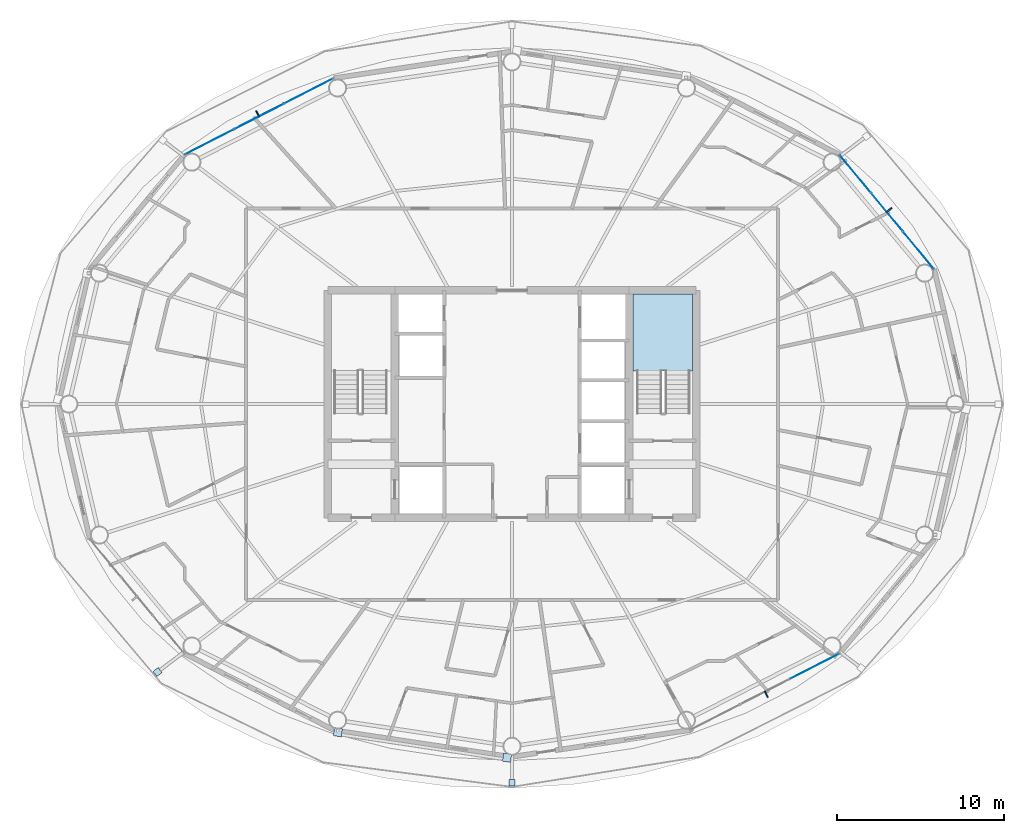
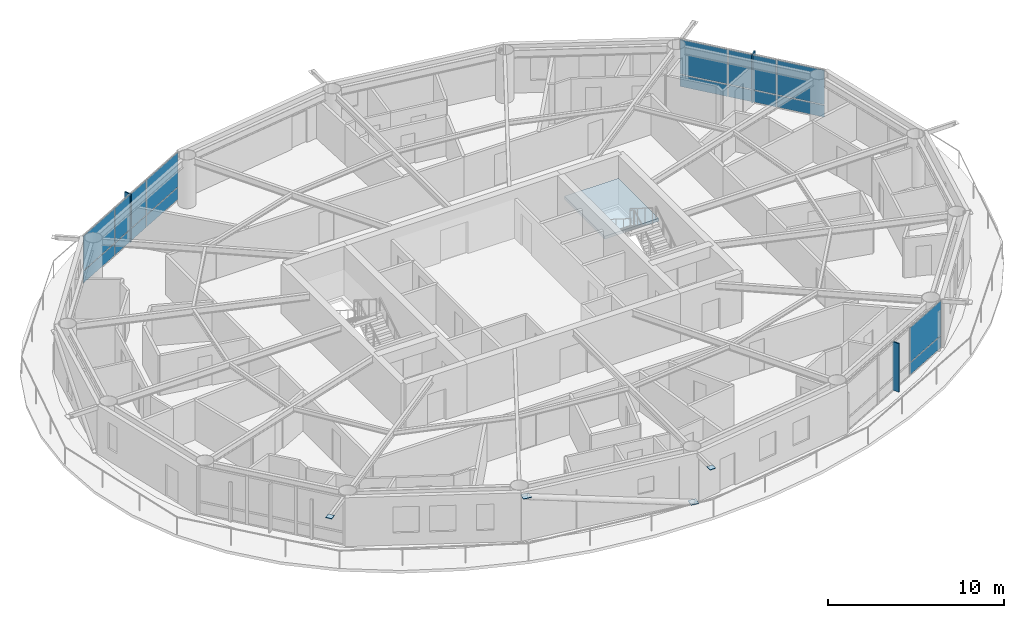
# One storey, part 18 of 29: 21 plates, 1 slab, 4 elements without a shape of their own.
"""IFC4 building model written with IfcOpenShell, lengths in metres."""

from ifc_helpers import new_model, si_unit, direction, frame, origin, origin_2d, place, context, subcontext, project, spatial, polyline, rectangle, outline, extrude, material, layer, layer_set, type_object, element, aggregate, save


model = new_model("IFC4")

# Units and contexts
model_context = context("Model", 3, precision=1e-05, world=origin(), true_north=direction((0.0, 1.0)))
body_context = subcontext(model_context, "Body", "Model", "MODEL_VIEW")
ifc_project = project(units=[si_unit("LENGTHUNIT", "METRE"), si_unit("AREAUNIT", "SQUARE_METRE"), si_unit("VOLUMEUNIT", "CUBIC_METRE"), si_unit("PLANEANGLEUNIT", "RADIAN"), si_unit("MASSUNIT", "GRAM", prefix="KILO")], contexts=[model_context])

# Site, building, storey
site_placement = place(None, origin())
site = spatial("IfcSite", under=ifc_project, at=site_placement, CompositionType="ELEMENT")
building_placement = place(site_placement, origin())
building = spatial("IfcBuilding", under=site, at=building_placement, Name="Sarneth Arch Tower", CompositionType="ELEMENT")
storey_placement = place(building_placement, frame((0.0, 0.0, 165.0)))
storey = spatial("IfcBuildingStorey", under=building, at=storey_placement, Name="L41", CompositionType="ELEMENT", Elevation=165.0)

# Curtain wall, plates
ifc_material_1 = material(Name="Anodised aluminium Type AA25 and solar-control low-e laminated IGU", Category="aluminium")
ifc_layer_1 = layer(ifc_material_1, 0.169921875)
ifc_layer_set_1 = layer_set([ifc_layer_1], Name="Anodised aluminium Type AA25 and solar-control low-e laminated IGU")
curtain_wall_type = type_object("IfcCurtainWallType", Name="CW-RES-MID", PredefinedType="NOTDEFINED", material=ifc_layer_set_1)
curtain_wall_1_placement = place(storey_placement, origin())
curtain_wall_1 = element("IfcCurtainWall", 1, at=curtain_wall_1_placement, inside=storey, type_object=curtain_wall_type, Name="L41 Unitised curtain wall facet 02", PredefinedType="NOTDEFINED")
ifc_material_2 = material(Name="Solar-control low-e laminated IGU", Category="glass")
ifc_layer_2 = layer(ifc_material_2, 0.028076171875)
ifc_layer_set_2 = layer_set([ifc_layer_2], Name="Solar-control low-e laminated IGU")
plate_type_1 = type_object("IfcPlateType", Name="CW-PANEL", PredefinedType="CURTAIN_PANEL", material=ifc_layer_set_2)
plate_1_placement = place(storey_placement, frame((72.280029296875, 51.21826171875, 0.06005859375), z_axis=(0.0, 0.0, 1.0), x_axis=(-0.637330298558, 0.770590741276, 0.0)))
plate_1 = element("IfcPlate", 2, at=plate_1_placement, type_object=plate_type_1, Name="Curtain wall glazed vision pane CW-L41-F02/P00-00", PredefinedType="CURTAIN_PANEL", context=body_context, shape_type="SweptSolid", body=[
    extrude(rectangle(XDim=2.8681640625, YDim=0.028076171875, at=origin_2d()), origin(), (0.0, 0.0, 1.0), 0.81005859375),
])
plate_2_placement = place(storey_placement, frame((72.280029296875, 51.21826171875, 0.93017578125), z_axis=(0.0, 0.0, 1.0), x_axis=(-0.637330298558, 0.770590741276, 0.0)))
plate_2 = element("IfcPlate", 3, at=plate_2_placement, type_object=plate_type_1, Name="Curtain wall glazed vision pane CW-L41-F02/P00-01", PredefinedType="CURTAIN_PANEL", context=body_context, shape_type="SweptSolid", body=[
    extrude(rectangle(XDim=2.8681640625, YDim=0.028076171875, at=origin_2d()), origin(), (0.0, 0.0, 1.0), 2.389892578125),
])
plate_3_placement = place(storey_placement, frame((70.404296875, 53.486328125, 0.06005859375), z_axis=(0.0, 0.0, 1.0), x_axis=(-0.637330298558, 0.770590741276, 0.0)))
plate_3 = element("IfcPlate", 4, at=plate_3_placement, type_object=plate_type_1, Name="Curtain wall glazed vision pane CW-L41-F02/P01-00", PredefinedType="CURTAIN_PANEL", context=body_context, shape_type="SweptSolid", body=[
    extrude(rectangle(XDim=2.898193359375, YDim=0.028076171875, at=origin_2d()), origin(), (0.0, 0.0, 1.0), 0.81005859375),
])
plate_4_placement = place(storey_placement, frame((70.404296875, 53.486328125, 0.93017578125), z_axis=(0.0, 0.0, 1.0), x_axis=(-0.637330298558, 0.770590741276, 0.0)))
plate_4 = element("IfcPlate", 5, at=plate_4_placement, type_object=plate_type_1, Name="Curtain wall glazed vision pane CW-L41-F02/P01-01", PredefinedType="CURTAIN_PANEL", context=body_context, shape_type="SweptSolid", body=[
    extrude(rectangle(XDim=2.898193359375, YDim=0.028076171875, at=origin_2d()), origin(), (0.0, 0.0, 1.0), 2.389892578125),
])
plate_5_placement = place(storey_placement, frame((68.5283203125, 55.75439453125, 0.06005859375), z_axis=(0.0, 0.0, 1.0), x_axis=(-0.637330298558, 0.770590741276, 0.0)))
plate_5 = element("IfcPlate", 6, at=plate_5_placement, type_object=plate_type_1, Name="Curtain wall glazed vision pane CW-L41-F02/P02-00", PredefinedType="CURTAIN_PANEL", context=body_context, shape_type="SweptSolid", body=[
    extrude(rectangle(XDim=2.8681640625, YDim=0.028076171875, at=origin_2d()), origin(), (0.0, 0.0, 1.0), 0.81005859375),
])
plate_6_placement = place(storey_placement, frame((68.5283203125, 55.75439453125, 0.93017578125), z_axis=(0.0, 0.0, 1.0), x_axis=(-0.637330298558, 0.770590741276, 0.0)))
plate_6 = element("IfcPlate", 7, at=plate_6_placement, type_object=plate_type_1, Name="Curtain wall glazed vision pane CW-L41-F02/P02-01", PredefinedType="CURTAIN_PANEL", context=body_context, shape_type="SweptSolid", body=[
    extrude(rectangle(XDim=2.8681640625, YDim=0.028076171875, at=origin_2d()), origin(), (0.0, 0.0, 1.0), 2.389892578125),
])
aggregate(curtain_wall_1, [plate_1, plate_2, plate_3, plate_4, plate_5, plate_6])

curtain_wall_2_placement = place(storey_placement, origin())
curtain_wall_2 = element("IfcCurtainWall", 8, at=curtain_wall_2_placement, inside=storey, type_object=curtain_wall_type, Name="L41 Unitised curtain wall facet 06", PredefinedType="NOTDEFINED")
plate_7_placement = place(storey_placement, frame((35.83837890625, 60.70703125, 0.06005859375), z_axis=(0.0, 0.0, 1.0), x_axis=(-0.88987293003, -0.456208470329, 0.0)))
plate_7 = element("IfcPlate", 9, at=plate_7_placement, type_object=plate_type_1, Name="Curtain wall glazed vision pane CW-L41-F06/P00-00", PredefinedType="CURTAIN_PANEL", context=body_context, shape_type="SweptSolid", body=[
    extrude(rectangle(XDim=3.248779296875, YDim=0.028076171875, at=origin_2d()), origin(), (0.0, 0.0, 1.0), 0.81005859375),
])
plate_8_placement = place(storey_placement, frame((35.83837890625, 60.70703125, 0.93017578125), z_axis=(0.0, 0.0, 1.0), x_axis=(-0.88987293003, -0.456208470329, 0.0)))
plate_8 = element("IfcPlate", 10, at=plate_8_placement, type_object=plate_type_1, Name="Curtain wall glazed vision pane CW-L41-F06/P00-01", PredefinedType="CURTAIN_PANEL", context=body_context, shape_type="SweptSolid", body=[
    extrude(rectangle(XDim=3.248779296875, YDim=0.028076171875, at=origin_2d()), origin(), (0.0, 0.0, 1.0), 2.389892578125),
])
plate_9_placement = place(storey_placement, frame((32.880615234375, 59.190673828125, 0.06005859375), z_axis=(0.0, 0.0, 1.0), x_axis=(-0.88987293003, -0.456208470329, 0.0)))
plate_9 = element("IfcPlate", 11, at=plate_9_placement, type_object=plate_type_1, Name="Curtain wall glazed vision pane CW-L41-F06/P01-00", PredefinedType="CURTAIN_PANEL", context=body_context, shape_type="SweptSolid", body=[
    extrude(rectangle(XDim=3.27880859375, YDim=0.028076171875, at=origin_2d()), origin(), (0.0, 0.0, 1.0), 0.81005859375),
])
plate_10_placement = place(storey_placement, frame((32.880615234375, 59.190673828125, 0.93017578125), z_axis=(0.0, 0.0, 1.0), x_axis=(-0.88987293003, -0.456208470329, 0.0)))
plate_10 = element("IfcPlate", 12, at=plate_10_placement, type_object=plate_type_1, Name="Curtain wall glazed vision pane CW-L41-F06/P01-01", PredefinedType="CURTAIN_PANEL", context=body_context, shape_type="SweptSolid", body=[
    extrude(rectangle(XDim=3.27880859375, YDim=0.028076171875, at=origin_2d()), origin(), (0.0, 0.0, 1.0), 2.389892578125),
])
plate_11_placement = place(storey_placement, frame((29.9228515625, 57.67431640625, 0.06005859375), z_axis=(0.0, 0.0, 1.0), x_axis=(-0.88987293003, -0.456208470329, 0.0)))
plate_11 = element("IfcPlate", 13, at=plate_11_placement, type_object=plate_type_1, Name="Curtain wall glazed vision pane CW-L41-F06/P02-00", PredefinedType="CURTAIN_PANEL", context=body_context, shape_type="SweptSolid", body=[
    extrude(rectangle(XDim=3.248779296875, YDim=0.028076171875, at=origin_2d()), origin(), (0.0, 0.0, 1.0), 0.81005859375),
])
plate_12_placement = place(storey_placement, frame((29.9228515625, 57.67431640625, 0.93017578125), z_axis=(0.0, 0.0, 1.0), x_axis=(-0.88987293003, -0.456208470329, 0.0)))
plate_12 = element("IfcPlate", 14, at=plate_12_placement, type_object=plate_type_1, Name="Curtain wall glazed vision pane CW-L41-F06/P02-01", PredefinedType="CURTAIN_PANEL", context=body_context, shape_type="SweptSolid", body=[
    extrude(rectangle(XDim=3.248779296875, YDim=0.028076171875, at=origin_2d()), origin(), (0.0, 0.0, 1.0), 2.389892578125),
])
aggregate(curtain_wall_2, [plate_7, plate_8, plate_9, plate_10, plate_11, plate_12])

curtain_wall_3_placement = place(storey_placement, origin())
curtain_wall_3 = element("IfcCurtainWall", 15, at=curtain_wall_3_placement, inside=storey, type_object=curtain_wall_type, Name="L41 Unitised curtain wall facet 14", PredefinedType="NOTDEFINED")
plate_13_placement = place(storey_placement, frame((66.0771484375, 26.32568359375, 0.06005859375), z_axis=(0.0, 0.0, 1.0), x_axis=(0.88987293003, 0.456208470329, 0.0)))
plate_13 = element("IfcPlate", 16, at=plate_13_placement, type_object=plate_type_1, Name="Curtain wall glazed vision pane CW-L41-F14/P02-00", PredefinedType="CURTAIN_PANEL", context=body_context, shape_type="SweptSolid", body=[
    extrude(rectangle(XDim=3.248779296875, YDim=0.028076171875, at=origin_2d()), origin(), (0.0, 0.0, 1.0), 0.81005859375),
])
plate_14_placement = place(storey_placement, frame((66.0771484375, 26.32568359375, 0.93017578125), z_axis=(0.0, 0.0, 1.0), x_axis=(0.88987293003, 0.456208470329, 0.0)))
plate_14 = element("IfcPlate", 17, at=plate_14_placement, type_object=plate_type_1, Name="Curtain wall glazed vision pane CW-L41-F14/P02-01", PredefinedType="CURTAIN_PANEL", context=body_context, shape_type="SweptSolid", body=[
    extrude(rectangle(XDim=3.248779296875, YDim=0.028076171875, at=origin_2d()), origin(), (0.0, 0.0, 1.0), 2.389892578125),
])
aggregate(curtain_wall_3, [plate_13, plate_14])

# Plates
ifc_material_3 = material(Name="Steel S355", Category="steel")
ifc_layer_3 = layer(ifc_material_3, 0.035888671875)
ifc_layer_set_3 = layer_set([ifc_layer_3], Name="Steel S355")
plate_type_2 = type_object("IfcPlateType", Name="PLT-GUSSET-30", PredefinedType="SHEET", material=ifc_layer_set_3)
plate_15_placement = place(storey_placement, frame((26.813720703125, 25.988525390625, 3.2021484375), z_axis=(0.0, 0.0, 1.0), x_axis=(-0.797794439539, -0.602929541689, 0.0)))
element("IfcPlate", 18, at=plate_15_placement, inside=storey, type_object=plate_type_2, Name="Steel end cap plate GP-1", PredefinedType="SHEET", context=body_context, shape_type="SweptSolid", body=[
    extrude(rectangle(XDim=0.3798828125, YDim=0.3798828125, at=origin_2d()), origin(), (0.0, 0.0, 1.0), 0.035888671875),
])
for number, where, z_axis, x_axis, name in (
    (19, (47.703369140625, 20.86474609375, 0.001953125), (0.0, 0.0, 1.0), (0.98883454203, -0.149017611339, 0.0), "Steel end cap plate GP-1"),
    (20, (37.595703125, 22.387451171875, 3.03271484375), (0.0, 0.0, 1.0), (0.98883454203, -0.149017611339, 0.0), "Steel end cap plate GP-1"),
):
    element("IfcPlate", number, at=place(storey_placement, frame(where, z_axis=z_axis, x_axis=x_axis)), inside=storey, type_object=plate_type_2, Name=name, PredefinedType="SHEET", context=body_context, shape_type="SweptSolid", body=[
        extrude(rectangle(XDim=0.486083984375, YDim=0.486083984375, at=origin_2d()), origin(), (0.0, 0.0, 1.0), 0.035888671875),
    ])
plate_16_placement = place(storey_placement, frame((48.0, 19.365966796875, 3.2021484375), z_axis=(0.0, 0.0, 1.0), x_axis=(0.0, -1.0, 0.0)))
element("IfcPlate", 21, at=plate_16_placement, inside=storey, type_object=plate_type_2, Name="Steel end cap plate GP-1", PredefinedType="SHEET", context=body_context, shape_type="SweptSolid", body=[
    extrude(rectangle(XDim=0.3798828125, YDim=0.3798828125, at=origin_2d()), origin(), (0.0, 0.0, 1.0), 0.035888671875),
])
ifc_material_4 = material(Name="Extruded glazed terracotta baguette fin on Aluminium 6063-T6 carrier", Category="masonry")
ifc_layer_4 = layer(ifc_material_4, 0.080078125)
ifc_layer_set_4 = layer_set([ifc_layer_4], Name="Extruded glazed terracotta baguette fin on Aluminium 6063-T6 carrier")
plate_type_3 = type_object("IfcPlateType", Name="SHADE-TERRA-FIN", PredefinedType="SHEET", material=ifc_layer_set_4)
for number, where, z_axis, x_axis, name in (
    (22, (70.53515625, 53.5947265625, 0.009765625), (0.0, 0.0, 1.0), (0.770624482513, 0.637289500111, 0.0), "L41 Terracotta vertical shading fin 02"),
    (23, (32.802978515625, 59.341796875, 0.009765625), (0.0, 0.0, 1.0), (-0.456166281949, 0.889894557357, 0.0), "L41 Terracotta vertical shading fin 06"),
    (24, (63.197021484375, 24.658203125, 0.009765625), (0.0, 0.0, 1.0), (0.456166281949, -0.889894557357, 0.0), "L41 Terracotta vertical shading fin 14"),
):
    element("IfcPlate", number, at=place(storey_placement, frame(where, z_axis=z_axis, x_axis=x_axis)), inside=storey, type_object=plate_type_3, Name=name, PredefinedType="SHEET", context=body_context, shape_type="SweptSolid", body=[
        extrude(rectangle(XDim=0.419921875, YDim=0.080078125, at=origin_2d()), origin(), (0.0, 0.0, 1.0), 3.360107421875),
    ])

# Stair, slab
ifc_material_5 = material(Name="Concrete C50/60", Category="concrete")
stair_type = type_object("IfcStairType", Name="STAIR-CORE-RC", PredefinedType="HALF_TURN_STAIR", material=ifc_material_5)
stair_placement = place(storey_placement, origin())
stair = element("IfcStair", 25, at=stair_placement, inside=storey, type_object=stair_type, Name="L41 Core Exit Stair 2", PredefinedType="HALF_TURN_STAIR")
ifc_material_6 = material(Name="Concrete C50/60", Category="concrete")
ifc_layer_5 = layer(ifc_material_6, 0.199951171875)
ifc_layer_set_5 = layer_set([ifc_layer_5], Name="Concrete C50/60")
slab_type = type_object("IfcSlabType", Name="SLAB-LANDING-200", PredefinedType="LANDING", material=ifc_layer_set_5)
slab_placement = place(storey_placement, frame((0.0, 0.0, 1.60009765625)))
slab = element("IfcSlab", 26, at=slab_placement, type_object=slab_type, Name="ST-2 landing 1", PredefinedType="LANDING", context=body_context, shape_type="SweptSolid", body=[
    extrude(outline(polyline([(55.22509765625, 43.985107421875), (58.77490234375, 43.985107421875), (58.77490234375, 48.574951171875), (55.22509765625, 48.574951171875), (55.22509765625, 43.985107421875)])), origin(), (0.0, 0.0, 1.0), 0.199951171875),
])
aggregate(stair, [slab])

save(model, "model.ifc")
